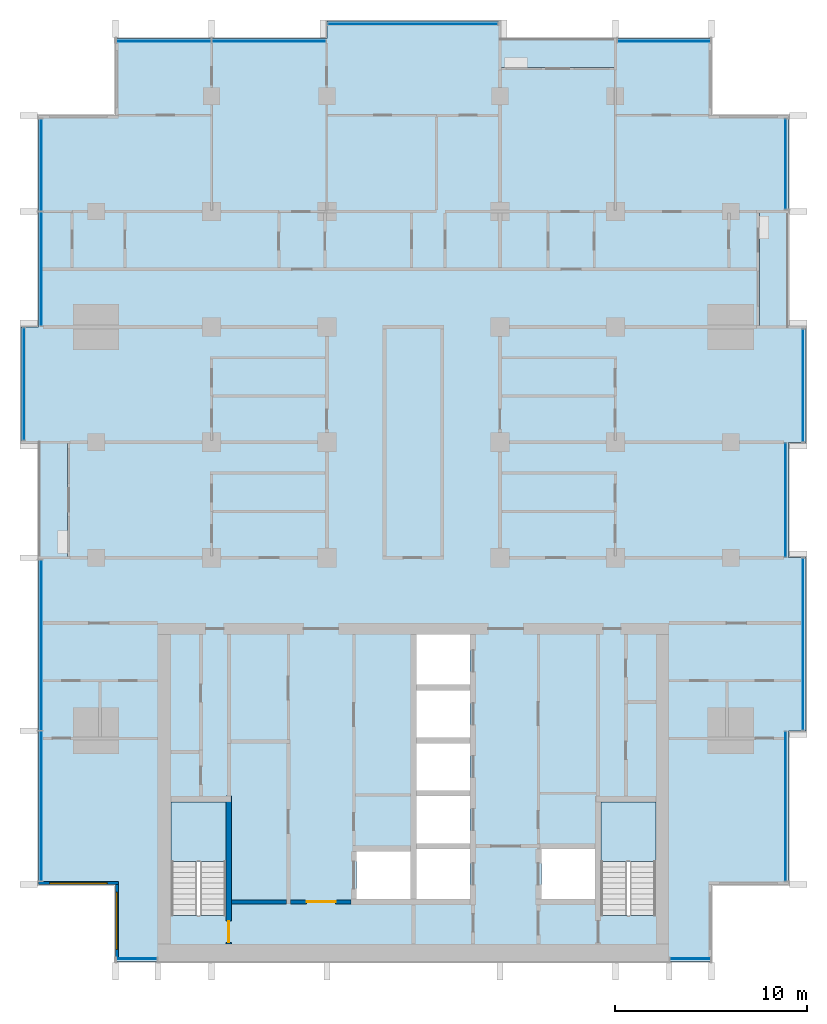
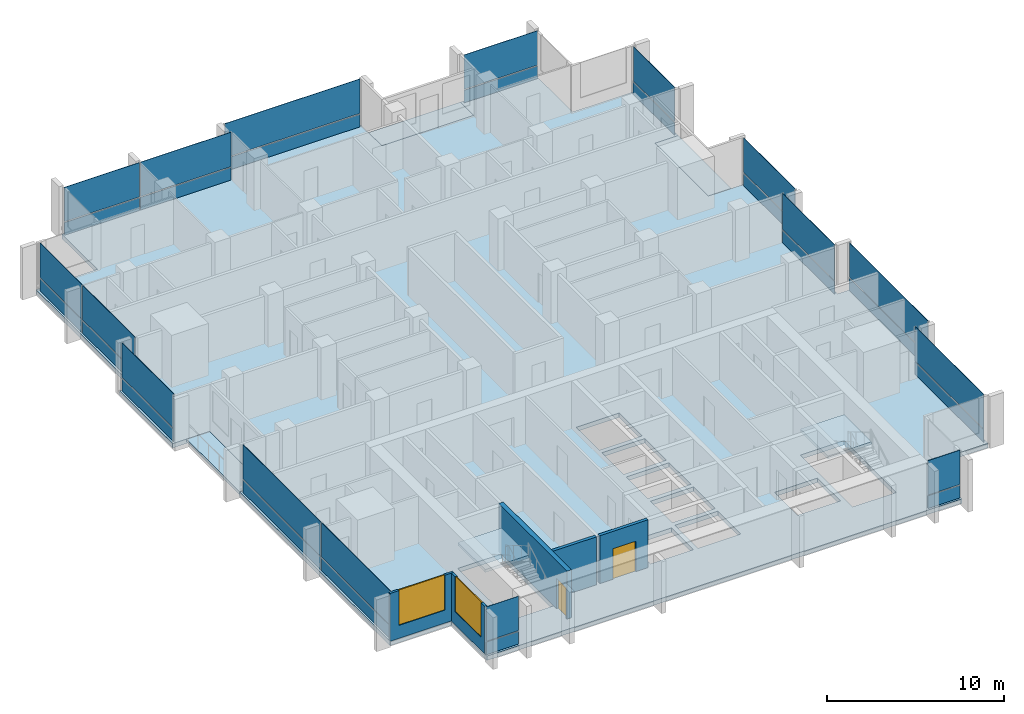
# One storey, part 6 of 16: 32 plates, 6 slabs, 5 walls, 2 doors, 2 windows, 4 openings, 15 elements without a shape of their own.
"""IFC4 building model written with IfcOpenShell, lengths in metres."""

from ifc_helpers import new_model, si_unit, direction, frame, frame_2d, origin, origin_2d, place, context, subcontext, project, spatial, polyline, rectangle, outline, extrude, material, layer, layer_set, type_object, element, fill, aggregate, save


model = new_model("IFC4")

# Units and contexts
model_context = context("Model", 3, precision=1e-05, world=origin(), true_north=direction((0.0, 1.0)))
body_context = subcontext(model_context, "Body", "Model", "MODEL_VIEW")
ifc_project = project(units=[si_unit("LENGTHUNIT", "METRE"), si_unit("AREAUNIT", "SQUARE_METRE"), si_unit("VOLUMEUNIT", "CUBIC_METRE"), si_unit("PLANEANGLEUNIT", "RADIAN"), si_unit("MASSUNIT", "GRAM", prefix="KILO")], contexts=[model_context])

# Site, building, storey
site_placement = place(None, origin())
site = spatial("IfcSite", under=ifc_project, at=site_placement, CompositionType="ELEMENT")
building_placement = place(site_placement, origin())
building = spatial("IfcBuilding", under=site, at=building_placement, Name="Finial Court Residences", CompositionType="ELEMENT")
storey_placement = place(building_placement, frame((0.0, 0.0, 178.10009765625)))
storey = spatial("IfcBuildingStorey", under=building, at=storey_placement, Name="L44", CompositionType="ELEMENT", Elevation=178.10009765625)

# Slabs
ifc_material_1 = material(Name="Concrete C35/45", Category="concrete")
ifc_layer_1 = layer(ifc_material_1, 0.199951171875)
ifc_layer_set_1 = layer_set([ifc_layer_1], Name="Balcony slab, Concrete C35/45 200")
slab_type_1 = type_object("IfcSlabType", Name="Balcony slab, Concrete C35/45 200", PredefinedType="FLOOR", material=ifc_layer_set_1)
slab_1_placement = place(storey_placement, frame((0.0, 0.0, -0.2001953125)))
element("IfcSlab", 1, at=slab_1_placement, inside=storey, type_object=slab_type_1, Name="Balcony L44-N4", PredefinedType="FLOOR", context=body_context, shape_type="SweptSolid", body=[
    extrude(outline(polyline([(10.5, 21.0), (10.5, 22.5), (4.5, 22.5), (4.5, 21.0), (10.5, 21.0)])), origin(), (0.0, 0.0, 1.0), 0.2001953125),
])
slab_2_placement = place(storey_placement, frame((0.0, 0.0, -0.2001953125)))
element("IfcSlab", 2, at=slab_2_placement, inside=storey, type_object=slab_type_1, Name="Balcony L44-E5", PredefinedType="FLOOR", context=body_context, shape_type="SweptSolid", body=[
    extrude(outline(polyline([(19.5, 7.5), (19.5, 13.5), (18.0, 13.5), (18.0, 7.5), (19.5, 7.5)])), origin(), (0.0, 0.0, 1.0), 0.2001953125),
])
slab_3_placement = place(storey_placement, frame((0.0, 0.0, -0.2001953125)))
element("IfcSlab", 3, at=slab_3_placement, inside=storey, type_object=slab_type_1, Name="Balcony L44-W3", PredefinedType="FLOOR", context=body_context, shape_type="SweptSolid", body=[
    extrude(outline(polyline([(-18.0, -4.5), (-18.0, 1.5), (-19.5, 1.5), (-19.5, -4.5), (-18.0, -4.5)])), origin(), (0.0, 0.0, 1.0), 0.2001953125),
])

# Curtain wall, plates
ifc_material_2 = material(Name="Bronze anodised aluminium", Category="aluminium")
curtain_wall_type = type_object("IfcCurtainWallType", Name="Unitised curtain wall, upper zones", PredefinedType="NOTDEFINED", material=ifc_material_2)
curtain_wall_1_placement = place(storey_placement, origin())
curtain_wall_1 = element("IfcCurtainWall", 4, at=curtain_wall_1_placement, inside=storey, type_object=curtain_wall_type, Name="E-L44-CW-N1", PredefinedType="NOTDEFINED")
ifc_layer_2 = layer(ifc_material_2, 0.035888671875)
ifc_layer_set_2 = layer_set([ifc_layer_2], Name="CW2 spandrel panel 36")
plate_type_1 = type_object("IfcPlateType", Name="CW2 spandrel panel 36", PredefinedType="CURTAIN_PANEL", material=ifc_layer_set_2)
plate_1_placement = place(storey_placement, frame((-12.985107421875, 22.35009765625, -0.000244140625), z_axis=(0.0, 0.0, 1.0), x_axis=(1.0, 0.0, 0.0)))
plate_1 = element("IfcPlate", 5, at=plate_1_placement, type_object=plate_type_1, Name="CW2 spandrel 1.1", PredefinedType="CURTAIN_PANEL", context=body_context, shape_type="SweptSolid", body=[
    extrude(rectangle(XDim=4.909912109375, YDim=0.035888671875, at=origin_2d()), origin(), (0.0, 0.0, 1.0), 0.8701171875),
])
plate_2_placement = place(storey_placement, frame((-7.514892578125, 22.35009765625, -0.000244140625), z_axis=(0.0, 0.0, 1.0), x_axis=(1.0, 0.0, 0.0)))
plate_2 = element("IfcPlate", 6, at=plate_2_placement, type_object=plate_type_1, Name="CW2 spandrel 2.1", PredefinedType="CURTAIN_PANEL", context=body_context, shape_type="SweptSolid", body=[
    extrude(rectangle(XDim=5.909912109375, YDim=0.035888671875, at=origin_2d()), origin(), (0.0, 0.0, 1.0), 0.8701171875),
])

# Curtain wall, plate
curtain_wall_2_placement = place(storey_placement, origin())
curtain_wall_2 = element("IfcCurtainWall", 7, at=curtain_wall_2_placement, inside=storey, type_object=curtain_wall_type, Name="E-L44-CW-N2", PredefinedType="NOTDEFINED")
plate_3_placement = place(storey_placement, frame((-0.03759765625, 23.25, -0.000244140625), z_axis=(0.0, 0.0, 1.0), x_axis=(1.0, 0.0, 0.0)))
plate_3 = element("IfcPlate", 8, at=plate_3_placement, type_object=plate_type_1, Name="CW2 spandrel 1.1", PredefinedType="CURTAIN_PANEL", context=body_context, shape_type="SweptSolid", body=[
    extrude(rectangle(XDim=8.804931640625, YDim=0.035888671875, at=origin_2d()), origin(), (0.0, 0.0, 1.0), 0.8701171875),
])

curtain_wall_3_placement = place(storey_placement, origin())
curtain_wall_3 = element("IfcCurtainWall", 9, at=curtain_wall_3_placement, inside=storey, type_object=curtain_wall_type, Name="E-L44-CW-N3", PredefinedType="NOTDEFINED")
plate_4_placement = place(storey_placement, frame((13.03759765625, 22.35009765625, -0.000244140625), z_axis=(0.0, 0.0, 1.0), x_axis=(1.0, 0.0, 0.0)))
plate_4 = element("IfcPlate", 10, at=plate_4_placement, type_object=plate_type_1, Name="CW2 spandrel 1.1", PredefinedType="CURTAIN_PANEL", context=body_context, shape_type="SweptSolid", body=[
    extrude(rectangle(XDim=4.804931640625, YDim=0.035888671875, at=origin_2d()), origin(), (0.0, 0.0, 1.0), 0.8701171875),
])

curtain_wall_4_placement = place(storey_placement, origin())
curtain_wall_4 = element("IfcCurtainWall", 11, at=curtain_wall_4_placement, inside=storey, type_object=curtain_wall_type, Name="E-L44-CW-E4", PredefinedType="NOTDEFINED")
plate_5_placement = place(storey_placement, frame((19.35009765625, -17.425048828125, -0.000244140625), z_axis=(0.0, 0.0, 1.0), x_axis=(0.0, 1.0, 0.0)))
plate_5 = element("IfcPlate", 12, at=plate_5_placement, type_object=plate_type_1, Name="CW2 spandrel 1.1", PredefinedType="CURTAIN_PANEL", context=body_context, shape_type="SweptSolid", body=[
    extrude(rectangle(XDim=7.72998046875, YDim=0.035888671875, at=origin_2d()), origin(), (0.0, 0.0, 1.0), 0.8701171875),
])

curtain_wall_5_placement = place(storey_placement, origin())
curtain_wall_5 = element("IfcCurtainWall", 13, at=curtain_wall_5_placement, inside=storey, type_object=curtain_wall_type, Name="E-L44-CW-E5", PredefinedType="NOTDEFINED")
plate_6_placement = place(storey_placement, frame((20.25, -9.0, -0.000244140625), z_axis=(0.0, 0.0, 1.0), x_axis=(0.0, 1.0, 0.0)))
plate_6 = element("IfcPlate", 14, at=plate_6_placement, type_object=plate_type_1, Name="CW2 spandrel 1.1", PredefinedType="CURTAIN_PANEL", context=body_context, shape_type="SweptSolid", body=[
    extrude(rectangle(XDim=8.8798828125, YDim=0.035888671875, at=origin_2d()), origin(), (0.0, 0.0, 1.0), 0.8701171875),
])

curtain_wall_6_placement = place(storey_placement, origin())
curtain_wall_6 = element("IfcCurtainWall", 15, at=curtain_wall_6_placement, inside=storey, type_object=curtain_wall_type, Name="E-L44-CW-E6", PredefinedType="NOTDEFINED")
plate_7_placement = place(storey_placement, frame((19.35009765625, -1.5, -0.000244140625), z_axis=(0.0, 0.0, 1.0), x_axis=(0.0, 1.0, 0.0)))
plate_7 = element("IfcPlate", 16, at=plate_7_placement, type_object=plate_type_1, Name="CW2 spandrel 1.1", PredefinedType="CURTAIN_PANEL", context=body_context, shape_type="SweptSolid", body=[
    extrude(rectangle(XDim=5.8798828125, YDim=0.035888671875, at=origin_2d()), origin(), (0.0, 0.0, 1.0), 0.8701171875),
])

curtain_wall_7_placement = place(storey_placement, origin())
curtain_wall_7 = element("IfcCurtainWall", 17, at=curtain_wall_7_placement, inside=storey, type_object=curtain_wall_type, Name="E-L44-CW-E7", PredefinedType="NOTDEFINED")
plate_8_placement = place(storey_placement, frame((20.25, 4.46240234375, -0.000244140625), z_axis=(0.0, 0.0, 1.0), x_axis=(0.0, 1.0, 0.0)))
plate_8 = element("IfcPlate", 18, at=plate_8_placement, type_object=plate_type_1, Name="CW2 spandrel 1.1", PredefinedType="CURTAIN_PANEL", context=body_context, shape_type="SweptSolid", body=[
    extrude(rectangle(XDim=5.804931640625, YDim=0.035888671875, at=origin_2d()), origin(), (0.0, 0.0, 1.0), 0.8701171875),
])

curtain_wall_8_placement = place(storey_placement, origin())
curtain_wall_8 = element("IfcCurtainWall", 19, at=curtain_wall_8_placement, inside=storey, type_object=curtain_wall_type, Name="E-L44-CW-E8", PredefinedType="NOTDEFINED")
plate_9_placement = place(storey_placement, frame((19.35009765625, 15.96240234375, -0.000244140625), z_axis=(0.0, 0.0, 1.0), x_axis=(0.0, 1.0, 0.0)))
plate_9 = element("IfcPlate", 20, at=plate_9_placement, type_object=plate_type_1, Name="CW2 spandrel 1.1", PredefinedType="CURTAIN_PANEL", context=body_context, shape_type="SweptSolid", body=[
    extrude(rectangle(XDim=4.655029296875, YDim=0.035888671875, at=origin_2d()), origin(), (0.0, 0.0, 1.0), 0.8701171875),
])

curtain_wall_9_placement = place(storey_placement, origin())
curtain_wall_9 = element("IfcCurtainWall", 21, at=curtain_wall_9_placement, inside=storey, type_object=curtain_wall_type, Name="E-L44-CW-S9", PredefinedType="NOTDEFINED")
plate_10_placement = place(storey_placement, frame((-14.39990234375, -25.35009765625, -0.000244140625), z_axis=(0.0, 0.0, 1.0), x_axis=(1.0, 0.0, 0.0)))
plate_10 = element("IfcPlate", 22, at=plate_10_placement, type_object=plate_type_1, Name="CW2 spandrel 1.1", PredefinedType="CURTAIN_PANEL", context=body_context, shape_type="SweptSolid", body=[
    extrude(rectangle(XDim=2.080078125, YDim=0.035888671875, at=origin_2d()), origin(), (0.0, 0.0, 1.0), 0.8701171875),
])

curtain_wall_10_placement = place(storey_placement, origin())
curtain_wall_10 = element("IfcCurtainWall", 23, at=curtain_wall_10_placement, inside=storey, type_object=curtain_wall_type, Name="E-L44-CW-S10", PredefinedType="NOTDEFINED")
plate_11_placement = place(storey_placement, frame((14.39990234375, -25.35009765625, -0.000244140625), z_axis=(0.0, 0.0, 1.0), x_axis=(1.0, 0.0, 0.0)))
plate_11 = element("IfcPlate", 24, at=plate_11_placement, type_object=plate_type_1, Name="CW2 spandrel 1.1", PredefinedType="CURTAIN_PANEL", context=body_context, shape_type="SweptSolid", body=[
    extrude(rectangle(XDim=2.080078125, YDim=0.035888671875, at=origin_2d()), origin(), (0.0, 0.0, 1.0), 0.8701171875),
])

# Curtain wall, plates
curtain_wall_11_placement = place(storey_placement, origin())
curtain_wall_11 = element("IfcCurtainWall", 25, at=curtain_wall_11_placement, inside=storey, type_object=curtain_wall_type, Name="E-L44-CW-W11", PredefinedType="NOTDEFINED")
plate_12_placement = place(storey_placement, frame((-19.35009765625, -17.409912109375, -0.000244140625), z_axis=(0.0, 0.0, 1.0), x_axis=(0.0, 1.0, 0.0)))
plate_12 = element("IfcPlate", 26, at=plate_12_placement, type_object=plate_type_1, Name="CW2 spandrel 1.1", PredefinedType="CURTAIN_PANEL", context=body_context, shape_type="SweptSolid", body=[
    extrude(rectangle(XDim=7.760009765625, YDim=0.035888671875, at=origin_2d()), origin(), (0.0, 0.0, 1.0), 0.8701171875),
])
plate_13_placement = place(storey_placement, frame((-19.35009765625, -9.052490234375, -0.000244140625), z_axis=(0.0, 0.0, 1.0), x_axis=(0.0, 1.0, 0.0)))
plate_13 = element("IfcPlate", 27, at=plate_13_placement, type_object=plate_type_1, Name="CW2 spandrel 2.1", PredefinedType="CURTAIN_PANEL", context=body_context, shape_type="SweptSolid", body=[
    extrude(rectangle(XDim=8.8349609375, YDim=0.035888671875, at=origin_2d()), origin(), (0.0, 0.0, 1.0), 0.8701171875),
])

# Curtain wall, plate
curtain_wall_12_placement = place(storey_placement, origin())
curtain_wall_12 = element("IfcCurtainWall", 28, at=curtain_wall_12_placement, inside=storey, type_object=curtain_wall_type, Name="E-L44-CW-W12", PredefinedType="NOTDEFINED")
plate_14_placement = place(storey_placement, frame((-20.25, 4.53759765625, -0.000244140625), z_axis=(0.0, 0.0, 1.0), x_axis=(0.0, 1.0, 0.0)))
plate_14 = element("IfcPlate", 29, at=plate_14_placement, type_object=plate_type_1, Name="CW2 spandrel 1.1", PredefinedType="CURTAIN_PANEL", context=body_context, shape_type="SweptSolid", body=[
    extrude(rectangle(XDim=5.804931640625, YDim=0.035888671875, at=origin_2d()), origin(), (0.0, 0.0, 1.0), 0.8701171875),
])

# Curtain wall, plates
curtain_wall_13_placement = place(storey_placement, origin())
curtain_wall_13 = element("IfcCurtainWall", 30, at=curtain_wall_13_placement, inside=storey, type_object=curtain_wall_type, Name="E-L44-CW-W13", PredefinedType="NOTDEFINED")
plate_15_placement = place(storey_placement, frame((-19.35009765625, 10.514892578125, -0.000244140625), z_axis=(0.0, 0.0, 1.0), x_axis=(0.0, 1.0, 0.0)))
plate_15 = element("IfcPlate", 31, at=plate_15_placement, type_object=plate_type_1, Name="CW2 spandrel 1.1", PredefinedType="CURTAIN_PANEL", context=body_context, shape_type="SweptSolid", body=[
    extrude(rectangle(XDim=5.909912109375, YDim=0.035888671875, at=origin_2d()), origin(), (0.0, 0.0, 1.0), 0.8701171875),
])
plate_16_placement = place(storey_placement, frame((-19.35009765625, 15.909912109375, -0.000244140625), z_axis=(0.0, 0.0, 1.0), x_axis=(0.0, 1.0, 0.0)))
plate_16 = element("IfcPlate", 32, at=plate_16_placement, type_object=plate_type_1, Name="CW2 spandrel 2.1", PredefinedType="CURTAIN_PANEL", context=body_context, shape_type="SweptSolid", body=[
    extrude(rectangle(XDim=4.760009765625, YDim=0.035888671875, at=origin_2d()), origin(), (0.0, 0.0, 1.0), 0.8701171875),
])

# Plate
ifc_material_3 = material(Name="Clear low-e glass", Category="glass")
ifc_layer_3 = layer(ifc_material_3, 0.030029296875)
ifc_layer_set_3 = layer_set([ifc_layer_3], Name="CW2 vision glass 30")
plate_type_2 = type_object("IfcPlateType", Name="CW2 vision glass 30", PredefinedType="CURTAIN_PANEL", material=ifc_layer_set_3)
plate_17_placement = place(storey_placement, frame((-12.985107421875, 22.35009765625, 0.929931640625), z_axis=(0.0, 0.0, 1.0), x_axis=(1.0, 0.0, 0.0)))
plate_17 = element("IfcPlate", 33, at=plate_17_placement, type_object=plate_type_2, Name="CW2 glass 1.2", PredefinedType="CURTAIN_PANEL", context=body_context, shape_type="SweptSolid", body=[
    extrude(rectangle(XDim=4.909912109375, YDim=0.030029296875, at=origin_2d()), origin(), (0.0, 0.0, 1.0), 2.3701171875),
])

plate_18_placement = place(storey_placement, frame((-7.514892578125, 22.35009765625, 0.929931640625), z_axis=(0.0, 0.0, 1.0), x_axis=(1.0, 0.0, 0.0)))
plate_18 = element("IfcPlate", 34, at=plate_18_placement, type_object=plate_type_2, Name="CW2 glass 2.2", PredefinedType="CURTAIN_PANEL", context=body_context, shape_type="SweptSolid", body=[
    extrude(rectangle(XDim=5.909912109375, YDim=0.030029296875, at=origin_2d()), origin(), (0.0, 0.0, 1.0), 2.3701171875),
])

aggregate(curtain_wall_1, [plate_1, plate_17, plate_2, plate_18])

plate_19_placement = place(storey_placement, frame((-0.03759765625, 23.25, 0.929931640625), z_axis=(0.0, 0.0, 1.0), x_axis=(1.0, 0.0, 0.0)))
plate_19 = element("IfcPlate", 35, at=plate_19_placement, type_object=plate_type_2, Name="CW2 glass 1.2", PredefinedType="CURTAIN_PANEL", context=body_context, shape_type="SweptSolid", body=[
    extrude(rectangle(XDim=8.804931640625, YDim=0.030029296875, at=origin_2d()), origin(), (0.0, 0.0, 1.0), 2.3701171875),
])

aggregate(curtain_wall_2, [plate_3, plate_19])

plate_20_placement = place(storey_placement, frame((13.03759765625, 22.35009765625, 0.929931640625), z_axis=(0.0, 0.0, 1.0), x_axis=(1.0, 0.0, 0.0)))
plate_20 = element("IfcPlate", 36, at=plate_20_placement, type_object=plate_type_2, Name="CW2 glass 1.2", PredefinedType="CURTAIN_PANEL", context=body_context, shape_type="SweptSolid", body=[
    extrude(rectangle(XDim=4.804931640625, YDim=0.030029296875, at=origin_2d()), origin(), (0.0, 0.0, 1.0), 2.3701171875),
])

aggregate(curtain_wall_3, [plate_4, plate_20])

plate_21_placement = place(storey_placement, frame((19.35009765625, -17.425048828125, 0.929931640625), z_axis=(0.0, 0.0, 1.0), x_axis=(0.0, 1.0, 0.0)))
plate_21 = element("IfcPlate", 37, at=plate_21_placement, type_object=plate_type_2, Name="CW2 glass 1.2", PredefinedType="CURTAIN_PANEL", context=body_context, shape_type="SweptSolid", body=[
    extrude(rectangle(XDim=7.72998046875, YDim=0.030029296875, at=origin_2d()), origin(), (0.0, 0.0, 1.0), 2.3701171875),
])

aggregate(curtain_wall_4, [plate_5, plate_21])

plate_22_placement = place(storey_placement, frame((20.25, -9.0, 0.929931640625), z_axis=(0.0, 0.0, 1.0), x_axis=(0.0, 1.0, 0.0)))
plate_22 = element("IfcPlate", 38, at=plate_22_placement, type_object=plate_type_2, Name="CW2 glass 1.2", PredefinedType="CURTAIN_PANEL", context=body_context, shape_type="SweptSolid", body=[
    extrude(rectangle(XDim=8.8798828125, YDim=0.030029296875, at=origin_2d()), origin(), (0.0, 0.0, 1.0), 2.3701171875),
])

aggregate(curtain_wall_5, [plate_6, plate_22])

plate_23_placement = place(storey_placement, frame((19.35009765625, -1.5, 0.9296875), z_axis=(0.0, 0.0, 1.0), x_axis=(0.0, 1.0, 0.0)))
plate_23 = element("IfcPlate", 39, at=plate_23_placement, type_object=plate_type_2, Name="CW2 glass 1.2", PredefinedType="CURTAIN_PANEL", context=body_context, shape_type="SweptSolid", body=[
    extrude(rectangle(XDim=5.8798828125, YDim=0.030029296875, at=origin_2d()), origin(), (0.0, 0.0, 1.0), 2.469970703125),
])

aggregate(curtain_wall_6, [plate_7, plate_23])

plate_24_placement = place(storey_placement, frame((20.25, 4.46240234375, 0.929931640625), z_axis=(0.0, 0.0, 1.0), x_axis=(0.0, 1.0, 0.0)))
plate_24 = element("IfcPlate", 40, at=plate_24_placement, type_object=plate_type_2, Name="CW2 glass 1.2", PredefinedType="CURTAIN_PANEL", context=body_context, shape_type="SweptSolid", body=[
    extrude(rectangle(XDim=5.804931640625, YDim=0.030029296875, at=origin_2d()), origin(), (0.0, 0.0, 1.0), 2.3701171875),
])

aggregate(curtain_wall_7, [plate_8, plate_24])

plate_25_placement = place(storey_placement, frame((19.35009765625, 15.96240234375, 0.929931640625), z_axis=(0.0, 0.0, 1.0), x_axis=(0.0, 1.0, 0.0)))
plate_25 = element("IfcPlate", 41, at=plate_25_placement, type_object=plate_type_2, Name="CW2 glass 1.2", PredefinedType="CURTAIN_PANEL", context=body_context, shape_type="SweptSolid", body=[
    extrude(rectangle(XDim=4.655029296875, YDim=0.030029296875, at=origin_2d()), origin(), (0.0, 0.0, 1.0), 2.3701171875),
])

aggregate(curtain_wall_8, [plate_9, plate_25])

plate_26_placement = place(storey_placement, frame((-14.39990234375, -25.35009765625, 0.929931640625), z_axis=(0.0, 0.0, 1.0), x_axis=(1.0, 0.0, 0.0)))
plate_26 = element("IfcPlate", 42, at=plate_26_placement, type_object=plate_type_2, Name="CW2 glass 1.2", PredefinedType="CURTAIN_PANEL", context=body_context, shape_type="SweptSolid", body=[
    extrude(rectangle(XDim=2.080078125, YDim=0.030029296875, at=origin_2d()), origin(), (0.0, 0.0, 1.0), 2.3701171875),
])

aggregate(curtain_wall_9, [plate_10, plate_26])

plate_27_placement = place(storey_placement, frame((14.39990234375, -25.35009765625, 0.929931640625), z_axis=(0.0, 0.0, 1.0), x_axis=(1.0, 0.0, 0.0)))
plate_27 = element("IfcPlate", 43, at=plate_27_placement, type_object=plate_type_2, Name="CW2 glass 1.2", PredefinedType="CURTAIN_PANEL", context=body_context, shape_type="SweptSolid", body=[
    extrude(rectangle(XDim=2.080078125, YDim=0.030029296875, at=origin_2d()), origin(), (0.0, 0.0, 1.0), 2.3701171875),
])

aggregate(curtain_wall_10, [plate_11, plate_27])

plate_28_placement = place(storey_placement, frame((-19.35009765625, -17.409912109375, 0.929931640625), z_axis=(0.0, 0.0, 1.0), x_axis=(0.0, 1.0, 0.0)))
plate_28 = element("IfcPlate", 44, at=plate_28_placement, type_object=plate_type_2, Name="CW2 glass 1.2", PredefinedType="CURTAIN_PANEL", context=body_context, shape_type="SweptSolid", body=[
    extrude(rectangle(XDim=7.760009765625, YDim=0.030029296875, at=origin_2d()), origin(), (0.0, 0.0, 1.0), 2.3701171875),
])

plate_29_placement = place(storey_placement, frame((-19.35009765625, -9.052490234375, 0.929931640625), z_axis=(0.0, 0.0, 1.0), x_axis=(0.0, 1.0, 0.0)))
plate_29 = element("IfcPlate", 45, at=plate_29_placement, type_object=plate_type_2, Name="CW2 glass 2.2", PredefinedType="CURTAIN_PANEL", context=body_context, shape_type="SweptSolid", body=[
    extrude(rectangle(XDim=8.8349609375, YDim=0.030029296875, at=origin_2d()), origin(), (0.0, 0.0, 1.0), 2.3701171875),
])

aggregate(curtain_wall_11, [plate_12, plate_28, plate_13, plate_29])

plate_30_placement = place(storey_placement, frame((-20.25, 4.53759765625, 0.929931640625), z_axis=(0.0, 0.0, 1.0), x_axis=(0.0, 1.0, 0.0)))
plate_30 = element("IfcPlate", 46, at=plate_30_placement, type_object=plate_type_2, Name="CW2 glass 1.2", PredefinedType="CURTAIN_PANEL", context=body_context, shape_type="SweptSolid", body=[
    extrude(rectangle(XDim=5.804931640625, YDim=0.030029296875, at=origin_2d()), origin(), (0.0, 0.0, 1.0), 2.3701171875),
])

aggregate(curtain_wall_12, [plate_14, plate_30])

plate_31_placement = place(storey_placement, frame((-19.35009765625, 10.514892578125, 0.929931640625), z_axis=(0.0, 0.0, 1.0), x_axis=(0.0, 1.0, 0.0)))
plate_31 = element("IfcPlate", 47, at=plate_31_placement, type_object=plate_type_2, Name="CW2 glass 1.2", PredefinedType="CURTAIN_PANEL", context=body_context, shape_type="SweptSolid", body=[
    extrude(rectangle(XDim=5.909912109375, YDim=0.030029296875, at=origin_2d()), origin(), (0.0, 0.0, 1.0), 2.3701171875),
])

plate_32_placement = place(storey_placement, frame((-19.35009765625, 15.909912109375, 0.929931640625), z_axis=(0.0, 0.0, 1.0), x_axis=(0.0, 1.0, 0.0)))
plate_32 = element("IfcPlate", 48, at=plate_32_placement, type_object=plate_type_2, Name="CW2 glass 2.2", PredefinedType="CURTAIN_PANEL", context=body_context, shape_type="SweptSolid", body=[
    extrude(rectangle(XDim=4.760009765625, YDim=0.030029296875, at=origin_2d()), origin(), (0.0, 0.0, 1.0), 2.3701171875),
])

aggregate(curtain_wall_13, [plate_15, plate_31, plate_16, plate_32])

# Stair, slab
ifc_material_4 = material(Name="Concrete C50/60", Category="concrete")
stair_type = type_object("IfcStairType", Name="Exit stair 22 risers of 163.6 mm", PredefinedType="HALF_TURN_STAIR", material=ifc_material_4)
stair_1_placement = place(storey_placement, origin())
stair_1 = element("IfcStair", 49, at=stair_1_placement, inside=storey, type_object=stair_type, Name="L44 Exit stair ST-1", PredefinedType="HALF_TURN_STAIR")
ifc_layer_4 = layer(ifc_material_4, 0.199951171875)
ifc_layer_set_4 = layer_set([ifc_layer_4], Name="Exit stair landing")
slab_type_2 = type_object("IfcSlabType", Name="Exit stair landing", PredefinedType="LANDING", material=ifc_layer_set_4)
slab_4_placement = place(storey_placement, frame((0.0, 0.0, 1.599853515625)))
slab_4 = element("IfcSlab", 50, at=slab_4_placement, type_object=slab_type_2, Name="ST-1 landing 1", PredefinedType="LANDING", context=body_context, shape_type="SweptSolid", body=[
    extrude(outline(polyline([(-9.75, -20.300048828125), (-9.75, -17.199951171875), (-12.60009765625, -17.199951171875), (-12.60009765625, -20.300048828125), (-9.75, -20.300048828125)])), origin(), (0.0, 0.0, 1.0), 0.199951171875),
])
aggregate(stair_1, [slab_4])

stair_2_placement = place(storey_placement, origin())
stair_2 = element("IfcStair", 51, at=stair_2_placement, inside=storey, type_object=stair_type, Name="L44 Exit stair ST-2", PredefinedType="HALF_TURN_STAIR")
slab_5_placement = place(storey_placement, frame((0.0, 0.0, 1.599853515625)))
slab_5 = element("IfcSlab", 52, at=slab_5_placement, type_object=slab_type_2, Name="ST-2 landing 1", PredefinedType="LANDING", context=body_context, shape_type="SweptSolid", body=[
    extrude(outline(polyline([(12.60009765625, -20.300048828125), (12.60009765625, -17.199951171875), (9.75, -17.199951171875), (9.75, -20.300048828125), (12.60009765625, -20.300048828125)])), origin(), (0.0, 0.0, 1.0), 0.199951171875),
])
aggregate(stair_2, [slab_5])

# Slab
ifc_material_5 = material(Name="Concrete C40/50", Category="concrete")
ifc_layer_5 = layer(ifc_material_5, 0.300048828125)
ifc_layer_set_5 = layer_set([ifc_layer_5], Name="Flat plate slab 300 Concrete C40/50")
slab_type_3 = type_object("IfcSlabType", Name="Flat plate slab 300 Concrete C40/50", PredefinedType="FLOOR", material=ifc_layer_set_5)
slab_6_placement = place(storey_placement, frame((0.0, 0.0, -0.300048828125)))
element("IfcSlab", 53, at=slab_6_placement, inside=storey, type_object=slab_type_3, Name="S:SLAB:L44", PredefinedType="FLOOR", context=body_context, shape_type="SweptSolid", body=[
    extrude(outline(polyline([(19.5, -21.5), (15.5, -21.5), (15.5, -25.5), (-15.5, -25.5), (-15.5, -21.5), (-19.5, -21.5), (-19.5, -4.5), (-18.0, -4.5), (-18.0, 1.5), (-19.5, 1.5), (-20.39990234375, 1.5), (-20.39990234375, 7.5), (-19.5, 7.5), (-19.5, 18.5), (-15.5, 18.5), (-15.5, 22.5), (-4.5, 22.5), (-4.5, 23.39990234375), (4.5, 23.39990234375), (4.5, 22.5), (4.5, 21.0), (10.5, 21.0), (10.5, 22.5), (15.5, 22.5), (15.5, 18.5), (19.5, 18.5), (19.5, 13.5), (18.0, 13.5), (18.0, 7.5), (19.5, 7.5), (20.39990234375, 7.5), (20.39990234375, 1.5), (19.5, 1.5), (19.5, -4.5), (20.39990234375, -4.5), (20.39990234375, -13.5), (19.5, -13.5), (19.5, -21.5)]), holes=[polyline([(-0.14990234375, -19.77001953125), (-2.949951171875, -19.77001953125), (-2.949951171875, -22.25), (-0.14990234375, -22.25), (-0.14990234375, -19.77001953125)]), polyline([(2.949951171875, -19.64990234375), (0.14990234375, -19.64990234375), (0.14990234375, -22.25), (2.949951171875, -22.25), (2.949951171875, -19.64990234375)]), polyline([(9.449951171875, -19.64990234375), (6.64990234375, -19.64990234375), (6.64990234375, -22.25), (9.449951171875, -22.25), (9.449951171875, -19.64990234375)]), polyline([(-12.60009765625, -17.199951171875), (-12.60009765625, -23.09912109375), (-9.75, -23.09912109375), (-9.75, -17.199951171875), (-12.60009765625, -17.199951171875)]), polyline([(9.75, -17.199951171875), (9.75, -23.09912109375), (12.60009765625, -23.09912109375), (12.60009765625, -17.199951171875), (9.75, -17.199951171875)]), polyline([(2.949951171875, -16.89990234375), (0.14990234375, -16.89990234375), (0.14990234375, -19.35009765625), (2.949951171875, -19.35009765625), (2.949951171875, -16.89990234375)]), polyline([(2.949951171875, -14.14990234375), (0.14990234375, -14.14990234375), (0.14990234375, -16.60009765625), (2.949951171875, -16.60009765625), (2.949951171875, -14.14990234375)]), polyline([(2.949951171875, -13.85009765625), (2.949951171875, -11.39990234375), (0.14990234375, -11.39990234375), (0.14990234375, -13.85009765625), (2.949951171875, -13.85009765625)]), polyline([(2.949951171875, -11.10009765625), (2.949951171875, -8.5), (0.14990234375, -8.5), (0.14990234375, -11.10009765625), (2.949951171875, -11.10009765625)])]), origin(), (0.0, 0.0, 1.0), 0.300048828125),
])

# Wall, opening, door
ifc_material_6 = material(Name="Concrete C70/85", Category="concrete")
ifc_layer_6 = layer(ifc_material_6, 0.300048828125)
ifc_layer_set_6 = layer_set([ifc_layer_6], Name="Lift shaft and stair wall 300 Concrete C70/85")
wall_type_1 = type_object("IfcWallType", Name="Lift shaft and stair wall 300 Concrete C70/85", PredefinedType="SHEAR", material=ifc_layer_set_6)
wall_1_placement = place(storey_placement, frame((-9.60009765625, -24.60009765625, 0.0), z_axis=(0.0, 0.0, 1.0), x_axis=(0.0, 1.0, 0.0)))
wall_1 = element("IfcWall", 54, at=wall_1_placement, inside=storey, type_object=wall_type_1, Name="Core wall L44-21", PredefinedType="SHEAR", context=body_context, shape_type="SweptSolid", body=[
    extrude(rectangle(XDim=7.7001953125, YDim=0.300048828125, at=frame_2d((3.85009765625, 0.0))), origin(), (0.0, 0.0, 1.0), 3.2998046875),
])
opening_1_placement = place(wall_1_placement, frame((0.10009765625, 0.0, 0.0)))
opening_1 = element("IfcOpeningElement", 55, at=opening_1_placement, cuts=wall_1, Name="Opening L44-C19", PredefinedType="OPENING", context=body_context, shape_type="SweptSolid", body=[
    extrude(rectangle(XDim=1.10009765625, YDim=2.10009765625, at=frame_2d((0.550048828125, 1.050048828125))), frame((0.0, 0.159912109375, 0.0), z_axis=(0.0, -1.0, 0.0), x_axis=(1.0, 0.0, 0.0)), (0.0, 0.0, 1.0), 0.320068359375),
])
ifc_material_7 = material(Name="Steel fire door", Category="steel")
door_type_1 = type_object("IfcDoorType", Name="Stair door 1100 x 2100 EI 90", OperationType="NOTDEFINED", PredefinedType="DOOR", material=ifc_material_7)
door_1_placement = place(opening_1_placement, origin())
door_1 = element("IfcDoor", 56, at=door_1_placement, inside=storey, type_object=door_type_1, Name="Stair door L44-C19", OperationType="SINGLE_SWING_LEFT", OverallHeight=2.10009765625, OverallWidth=1.10009765625, PredefinedType="DOOR", context=body_context, shape_type="SweptSolid", body=[
    extrude(rectangle(XDim=1.10009765625, YDim=2.10009765625, at=frame_2d((0.550048828125, 1.050048828125))), frame((0.0, 0.02490234375, 0.0), z_axis=(0.0, -1.0, 0.0), x_axis=(1.0, 0.0, 0.0)), (0.0, 0.0, 1.0), 0.050048828125),
])
fill(opening_1, door_1)

# Wall, opening, window
ifc_material_8 = material(Name="Natural limestone", Category="masonry")
ifc_layer_7 = layer(ifc_material_8, 0.14990234375)
ifc_layer_set_7 = layer_set([ifc_layer_7], Name="Limestone clad wall 150")
wall_type_2 = type_object("IfcWallType", Name="Limestone clad wall 150", PredefinedType="SOLIDWALL", material=ifc_layer_set_7)
wall_2_placement = place(storey_placement, frame((-15.425048828125, -25.262451171875, 0.0), z_axis=(0.0, 0.0, 1.0), x_axis=(0.0, 1.0, 0.0)))
wall_2 = element("IfcWall", 57, at=wall_2_placement, inside=storey, type_object=wall_type_2, Name="E-L44-NWW14", PredefinedType="SOLIDWALL", context=body_context, shape_type="SweptSolid", body=[
    extrude(rectangle(XDim=3.762451171875, YDim=0.14990234375, at=frame_2d((1.88134765625, 0.0))), origin(), (0.0, 0.0, 1.0), 3.2998046875),
])
opening_2_placement = place(wall_2_placement, frame((0.401123046875, 0.0, 0.89990234375)))
opening_2 = element("IfcOpeningElement", 58, at=opening_2_placement, cuts=wall_2, Name="Opening WE44-01", PredefinedType="OPENING", context=body_context, shape_type="SweptSolid", body=[
    extrude(rectangle(XDim=2.9599609375, YDim=2.39990234375, at=frame_2d((1.47998046875, 1.199951171875))), frame((0.0, 0.0849609375, 0.0), z_axis=(0.0, -1.0, 0.0), x_axis=(1.0, 0.0, 0.0)), (0.0, 0.0, 1.0), 0.169921875),
])
window_type_1 = type_object("IfcWindowType", Name="Corner window 2960 x 2400", PartitioningType="SINGLE_PANEL", PredefinedType="WINDOW", material=ifc_material_3)
window_1_placement = place(opening_2_placement, origin())
window_1 = element("IfcWindow", 59, at=window_1_placement, inside=storey, type_object=window_type_1, Name="E-L44-NWW14-W1", OverallHeight=2.39990234375, OverallWidth=2.9599609375, PartitioningType="SINGLE_PANEL", PredefinedType="WINDOW", context=body_context, shape_type="SweptSolid", body=[
    extrude(rectangle(XDim=2.9599609375, YDim=2.39990234375, at=frame_2d((1.47998046875, 1.199951171875))), frame((0.0, 0.030029296875, 0.0), z_axis=(0.0, -1.0, 0.0), x_axis=(1.0, 0.0, 0.0)), (0.0, 0.0, 1.0), 0.06005859375),
])
fill(opening_2, window_1)

wall_3_placement = place(storey_placement, frame((-15.35009765625, -21.425048828125, 0.0), z_axis=(0.0, 0.0, 1.0), x_axis=(-1.0, 0.0, 0.0)))
wall_3 = element("IfcWall", 60, at=wall_3_placement, inside=storey, type_object=wall_type_2, Name="E-L44-NWS15", PredefinedType="SOLIDWALL", context=body_context, shape_type="SweptSolid", body=[
    extrude(rectangle(XDim=4.14990234375, YDim=0.14990234375, at=frame_2d((2.074951171875, 0.0))), origin(), (0.0, 0.0, 1.0), 3.2998046875),
])
opening_3_placement = place(wall_3_placement, frame((0.574951171875, 0.0, 0.89990234375)))
opening_3 = element("IfcOpeningElement", 61, at=opening_3_placement, cuts=wall_3, Name="Opening WE44-02", PredefinedType="OPENING", context=body_context, shape_type="SweptSolid", body=[
    extrude(rectangle(XDim=3.0, YDim=2.39990234375, at=frame_2d((1.5, 1.199951171875))), frame((0.0, 0.0849609375, 0.0), z_axis=(0.0, -1.0, 0.0), x_axis=(1.0, 0.0, 0.0)), (0.0, 0.0, 1.0), 0.169921875),
])
window_type_2 = type_object("IfcWindowType", Name="Corner window 3000 x 2400", PartitioningType="SINGLE_PANEL", PredefinedType="WINDOW", material=ifc_material_3)
window_2_placement = place(opening_3_placement, origin())
window_2 = element("IfcWindow", 62, at=window_2_placement, inside=storey, type_object=window_type_2, Name="E-L44-NWS15-W1", OverallHeight=2.39990234375, OverallWidth=3.0, PartitioningType="SINGLE_PANEL", PredefinedType="WINDOW", context=body_context, shape_type="SweptSolid", body=[
    extrude(rectangle(XDim=3.0, YDim=2.39990234375, at=frame_2d((1.5, 1.199951171875))), frame((0.0, 0.030029296875, 0.0), z_axis=(0.0, -1.0, 0.0), x_axis=(1.0, 0.0, 0.0)), (0.0, 0.0, 1.0), 0.06005859375),
])
fill(opening_3, window_2)

# Wall
ifc_material_9 = material(Name="Fire-rated gypsum board partition")
ifc_layer_8 = layer(ifc_material_9, 0.199951171875)
ifc_layer_set_8 = layer_set([ifc_layer_8], Name="Riser room wall 200 EI 120")
wall_type_3 = type_object("IfcWallType", Name="Riser room wall 200 EI 120", PredefinedType="PARTITIONING", material=ifc_layer_set_8)
wall_4_placement = place(storey_placement, frame((-9.449951171875, -22.39990234375, 0.0), z_axis=(0.0, 0.0, 1.0), x_axis=(1.0, 0.0, 0.0)))
element("IfcWall", 63, at=wall_4_placement, inside=storey, type_object=wall_type_3, Name="Core partition L44-01", PredefinedType="PARTITIONING", context=body_context, shape_type="SweptSolid", body=[
    extrude(rectangle(XDim=2.849853515625, YDim=0.199951171875, at=frame_2d((1.4248046875, 0.0))), origin(), (0.0, 0.0, 1.0), 3.2998046875),
])

# Wall, opening, door
ifc_layer_9 = layer(ifc_material_9, 0.199951171875)
ifc_layer_set_9 = layer_set([ifc_layer_9], Name="Stair passage wall 200 EI 180")
wall_type_4 = type_object("IfcWallType", Name="Stair passage wall 200 EI 180", PredefinedType="PARTITIONING", material=ifc_layer_set_9)
wall_5_placement = place(storey_placement, frame((-3.25, -22.39990234375, 0.0), z_axis=(0.0, 0.0, 1.0), x_axis=(-1.0, 0.0, 0.0)))
wall_5 = element("IfcWall", 64, at=wall_5_placement, inside=storey, type_object=wall_type_4, Name="Core partition L44-02", PredefinedType="PARTITIONING", context=body_context, shape_type="SweptSolid", body=[
    extrude(rectangle(XDim=3.14990234375, YDim=0.199951171875, at=frame_2d((1.574951171875, 0.0))), origin(), (0.0, 0.0, 1.0), 3.2998046875),
])
opening_4_placement = place(wall_5_placement, frame((0.800048828125, 0.0, 0.0)))
opening_4 = element("IfcOpeningElement", 65, at=opening_4_placement, cuts=wall_5, Name="Opening L44-C03", PredefinedType="OPENING", context=body_context, shape_type="SweptSolid", body=[
    extrude(rectangle(XDim=1.5, YDim=2.10009765625, at=frame_2d((0.75, 1.050048828125))), frame((0.0, 0.10986328125, 0.0), z_axis=(0.0, -1.0, 0.0), x_axis=(1.0, 0.0, 0.0)), (0.0, 0.0, 1.0), 0.219970703125),
])
door_type_2 = type_object("IfcDoorType", Name="Lift lobby door 1500 x 2100 EI 60", OperationType="DOUBLE_DOOR_SINGLE_SWING", PredefinedType="DOOR", material=ifc_material_7)
door_2_placement = place(opening_4_placement, origin())
door_2 = element("IfcDoor", 66, at=door_2_placement, inside=storey, type_object=door_type_2, Name="Lift lobby door L44-C03", OperationType="DOUBLE_DOOR_SINGLE_SWING", OverallHeight=2.10009765625, OverallWidth=1.5, PredefinedType="DOOR", context=body_context, shape_type="SweptSolid", body=[
    extrude(rectangle(XDim=1.5, YDim=2.10009765625, at=frame_2d((0.75, 1.050048828125))), frame((0.0, 0.02490234375, 0.0), z_axis=(0.0, -1.0, 0.0), x_axis=(1.0, 0.0, 0.0)), (0.0, 0.0, 1.0), 0.050048828125),
])
fill(opening_4, door_2)

save(model, "model.ifc")
